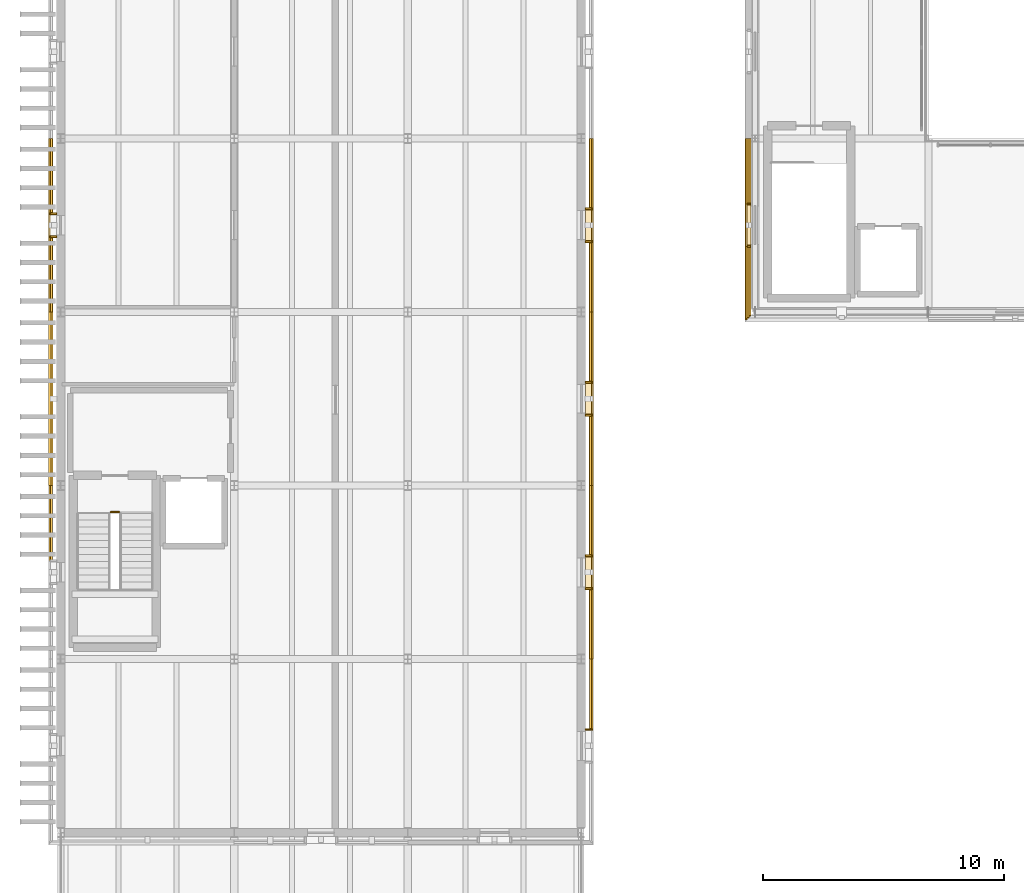
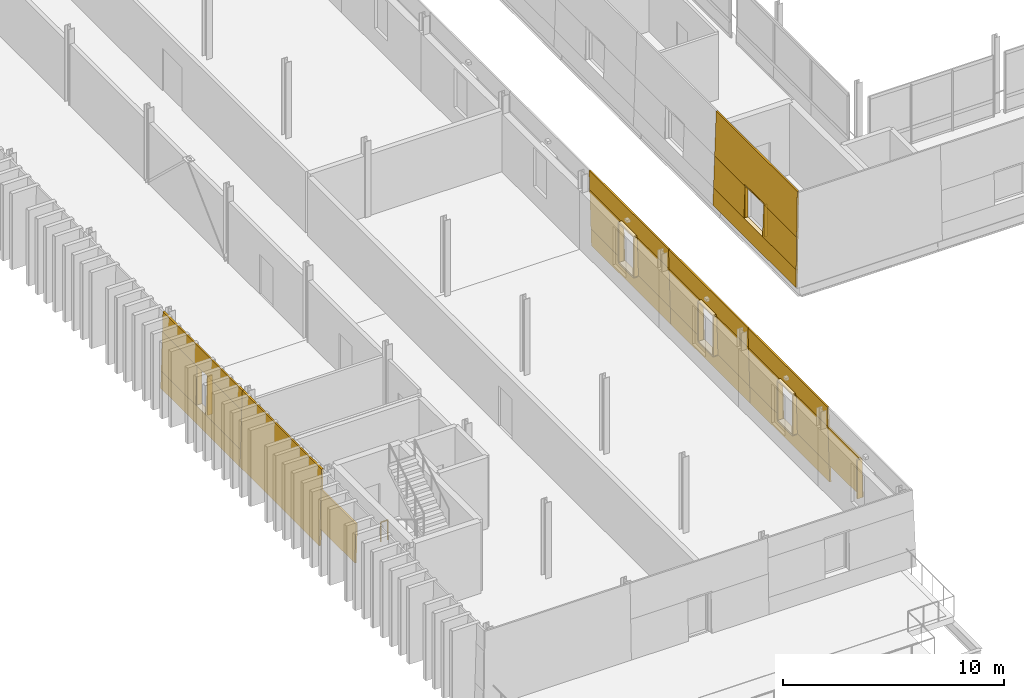
# One storey, part 58 of 66: 43 coverings, 1 railing.
"""IFC4 building model written with IfcOpenShell, lengths in metres."""

from ifc_helpers import new_model, si_unit, direction, frame, origin, origin_2d, place, context, subcontext, project, spatial, polyline, circle, outline, extrude, material, layer, layer_set, type_object, element, save


model = new_model("IFC4")

# Units and contexts
model_context = context("Model", 3, precision=1e-05, world=origin(), true_north=direction((0.0, 1.0)))
body_context = subcontext(model_context, "Body", "Model", "MODEL_VIEW")
ifc_project = project(units=[si_unit("LENGTHUNIT", "METRE"), si_unit("AREAUNIT", "SQUARE_METRE"), si_unit("VOLUMEUNIT", "CUBIC_METRE"), si_unit("PLANEANGLEUNIT", "RADIAN"), si_unit("MASSUNIT", "GRAM", prefix="KILO")], contexts=[model_context])

# Site, building, storey
site_placement = place(None, origin())
site = spatial("IfcSite", under=ifc_project, at=site_placement, CompositionType="ELEMENT")
building_placement = place(site_placement, origin())
building = spatial("IfcBuilding", under=site, at=building_placement, Name="Narikvali Park Central Library", CompositionType="ELEMENT")
storey_placement = place(building_placement, frame((0.0, 0.0, 18.60009765625)))
storey = spatial("IfcBuildingStorey", under=building, at=storey_placement, Name="L04", CompositionType="ELEMENT", Elevation=18.60009765625)

# Coverings
ifc_material_1 = material(Name="White Honed Limestone Cladding", Category="masonry")
ifc_layer_1 = layer(ifc_material_1, 0.0849609375, Name="White Honed Limestone Cladding")
ifc_layer_set_1 = layer_set([ifc_layer_1], Name="White Honed Limestone Cladding")
covering_type_1 = type_object("IfcCoveringType", Name="Battered White Limestone Facade Cladding Panel", PredefinedType="CLADDING", material=ifc_layer_set_1)
covering_1_placement = place(storey_placement, frame((28.386474609375, 64.800048828125, 0.0), z_axis=(-0.999433733171, 0.0, 0.033648372924), x_axis=(0.0, -1.0, 0.0)))
element("IfcCovering", 1, at=covering_1_placement, inside=storey, type_object=covering_type_1, Name="V4 L04 W Battered Limestone Spandrel B06", PredefinedType="CLADDING", context=body_context, shape_type="SweptSolid", body=[
    extrude(outline(polyline([(0.0, 0.0), (7.528564453125, 0.0), (7.49658203125, 0.9504894024951969), (0.0, 0.9504894024951969), (0.0, 0.0)])), origin(), (0.0, 0.0, -1.0), 0.0849609375),
])
covering_2_placement = place(storey_placement, frame((28.4775390625, 64.800048828125, 2.699951171875), z_axis=(-0.999433239835, 0.0, 0.033663022926), x_axis=(0.0, -1.0, 0.0)))
element("IfcCovering", 2, at=covering_2_placement, inside=storey, type_object=covering_type_1, Name="V4 L04 W Battered Limestone Lintel B06", PredefinedType="CLADDING", context=body_context, shape_type="SweptSolid", body=[
    extrude(outline(polyline([(0.0, 0.0), (7.4375, 0.0), (7.35498046875, 2.4513404940173866), (0.0, 2.4513404940173866), (0.0, 0.0)])), origin(), (0.0, 0.0, -1.0), 0.0849609375),
])
covering_3_placement = place(storey_placement, frame((28.41845703125, 64.800048828125, 0.949951171875), z_axis=(-0.999430578744, 0.0, 0.033741936392), x_axis=(0.0, -1.0, 0.0)))
element("IfcCovering", 3, at=covering_3_placement, inside=storey, type_object=covering_type_1, Name="V4 L04 W Battered Limestone Jamb Pier L B06", PredefinedType="CLADDING", context=body_context, shape_type="SweptSolid", body=[
    extrude(outline(polyline([(0.0, 0.0), (2.760009765625, 0.0), (2.760009765625, 1.750997054942305), (0.0, 1.750997054942305), (0.0, 0.0)])), origin(), (0.0, 0.0, -1.0), 0.0849609375),
])
covering_4_placement = place(storey_placement, frame((28.41845703125, 60.360107421875, 0.949951171875), z_axis=(-0.999430578744, 0.0, 0.033741936392), x_axis=(0.0, -1.0, 0.0)))
element("IfcCovering", 4, at=covering_4_placement, inside=storey, type_object=covering_type_1, Name="V4 L04 W Battered Limestone Jamb Pier R B06", PredefinedType="CLADDING", context=body_context, shape_type="SweptSolid", body=[
    extrude(outline(polyline([(0.0, 0.0), (3.056640625, 0.0), (2.99755859375, 1.750997054942305), (0.0, 1.750997054942305), (0.0, 0.0)])), origin(), (0.0, 0.0, -1.0), 0.0849609375),
])
covering_5_placement = place(storey_placement, frame((22.08544921875, 40.239990234375, 0.949951171875), z_axis=(0.99959725493, 0.0, 0.028378300447), x_axis=(0.0, 1.0, 0.0)))
element("IfcCovering", 5, at=covering_5_placement, inside=storey, type_object=covering_type_1, Name="V5 L04 E Battered Limestone Jamb Pier R B01", PredefinedType="CLADDING", context=body_context, shape_type="SweptSolid", body=[
    extrude(outline(polyline([(0.0, 0.0), (2.9599609375, 0.0), (2.9599609375, 2.150768555182125), (0.0, 2.150768555182125), (0.0, 0.0)])), origin(), (0.0, 0.0, -1.0), 0.0849609375),
])
covering_6_placement = place(storey_placement, frame((22.1123046875, 43.199951171875, 0.0), z_axis=(0.999600632529, 0.0, 0.02825907725), x_axis=(0.0, 1.0, 0.0)))
element("IfcCovering", 6, at=covering_6_placement, inside=storey, type_object=covering_type_1, Name="V5 L04 E Battered Limestone Spandrel B02", PredefinedType="CLADDING", context=body_context, shape_type="SweptSolid", body=[
    extrude(outline(polyline([(0.0, 0.0), (7.199951171875, 0.0), (7.199951171875, 0.9503307030441919), (0.0, 0.9503307030441919), (0.0, 0.0)])), origin(), (0.0, 0.0, -1.0), 0.0849609375),
])
covering_7_placement = place(storey_placement, frame((22.0244140625, 43.199951171875, 3.099853515625), z_axis=(0.999596777432, 0.0, 0.028395114849), x_axis=(0.0, 1.0, 0.0)))
element("IfcCovering", 7, at=covering_7_placement, inside=storey, type_object=covering_type_1, Name="V5 L04 E Battered Limestone Lintel B02", PredefinedType="CLADDING", context=body_context, shape_type="SweptSolid", body=[
    extrude(outline(polyline([(0.0, 0.0), (7.199951171875, 0.0), (7.199951171875, 1.1005414193871774), (0.0, 1.1005414193871774), (0.0, 0.0)])), origin(), (0.0, 0.0, -1.0), 0.0849609375),
])
for number, where, z_axis, x_axis, name in (
    (8, (22.08544921875, 43.199951171875, 0.949951171875), (0.99959725493, 0.0, 0.028378300447), (0.0, 1.0, 0.0), "V5 L04 E Battered Limestone Jamb Pier L B02"),
    (9, (22.08544921875, 47.43994140625, 0.949951171875), (0.99959725493, 0.0, 0.028378300447), (0.0, 1.0, 0.0), "V5 L04 E Battered Limestone Jamb Pier R B02"),
):
    element("IfcCovering", number, at=place(storey_placement, frame(where, z_axis=z_axis, x_axis=x_axis)), inside=storey, type_object=covering_type_1, Name=name, PredefinedType="CLADDING", context=body_context, shape_type="SweptSolid", body=[
        extrude(outline(polyline([(0.0, 0.0), (2.9599609375, 0.0), (2.9599609375, 2.150768555182125), (0.0, 2.150768555182125), (0.0, 0.0)])), origin(), (0.0, 0.0, -1.0), 0.0849609375),
    ])
covering_8_placement = place(storey_placement, frame((22.1123046875, 50.39990234375, 0.0), z_axis=(0.999600632529, 0.0, 0.02825907725), x_axis=(0.0, 1.0, 0.0)))
element("IfcCovering", 10, at=covering_8_placement, inside=storey, type_object=covering_type_1, Name="V5 L04 E Battered Limestone Spandrel B03", PredefinedType="CLADDING", context=body_context, shape_type="SweptSolid", body=[
    extrude(outline(polyline([(0.0, 0.0), (7.2001953125, 0.0), (7.2001953125, 0.950330703044192), (0.0, 0.950330703044192), (0.0, 0.0)])), origin(), (0.0, 0.0, -1.0), 0.0849609375),
])
covering_9_placement = place(storey_placement, frame((22.0244140625, 50.39990234375, 3.099853515625), z_axis=(0.999596777432, 0.0, 0.028395114849), x_axis=(0.0, 1.0, 0.0)))
element("IfcCovering", 11, at=covering_9_placement, inside=storey, type_object=covering_type_1, Name="V5 L04 E Battered Limestone Lintel B03", PredefinedType="CLADDING", context=body_context, shape_type="SweptSolid", body=[
    extrude(outline(polyline([(0.0, 0.0), (7.2001953125, 0.0), (7.2001953125, 1.1005414193871774), (0.0, 1.1005414193871774), (0.0, 0.0)])), origin(), (0.0, 0.0, -1.0), 0.0849609375),
])
for number, where, z_axis, x_axis, name in (
    (12, (22.08544921875, 50.39990234375, 0.949951171875), (0.99959725493, 0.0, 0.028378300447), (0.0, 1.0, 0.0), "V5 L04 E Battered Limestone Jamb Pier L B03"),
    (13, (22.08544921875, 54.639892578125, 0.949951171875), (0.99959725493, 0.0, 0.028378300447), (0.0, 1.0, 0.0), "V5 L04 E Battered Limestone Jamb Pier R B03"),
):
    element("IfcCovering", number, at=place(storey_placement, frame(where, z_axis=z_axis, x_axis=x_axis)), inside=storey, type_object=covering_type_1, Name=name, PredefinedType="CLADDING", context=body_context, shape_type="SweptSolid", body=[
        extrude(outline(polyline([(0.0, 0.0), (2.960205078125, 0.0), (2.960205078125, 2.150768555182125), (0.0, 2.150768555182125), (0.0, 0.0)])), origin(), (0.0, 0.0, -1.0), 0.0849609375),
    ])
covering_10_placement = place(storey_placement, frame((22.1123046875, 57.60009765625, 0.0), z_axis=(0.999600632529, 0.0, 0.02825907725), x_axis=(0.0, 1.0, 0.0)))
element("IfcCovering", 14, at=covering_10_placement, inside=storey, type_object=covering_type_1, Name="V5 L04 E Battered Limestone Spandrel B04", PredefinedType="CLADDING", context=body_context, shape_type="SweptSolid", body=[
    extrude(outline(polyline([(0.0, 0.0), (7.199951171875, 0.0), (7.199951171875, 0.9503307030441919), (0.0, 0.9503307030441919), (0.0, 0.0)])), origin(), (0.0, 0.0, -1.0), 0.0849609375),
])
covering_11_placement = place(storey_placement, frame((22.0244140625, 57.60009765625, 3.099853515625), z_axis=(0.999596777432, 0.0, 0.028395114849), x_axis=(0.0, 1.0, 0.0)))
element("IfcCovering", 15, at=covering_11_placement, inside=storey, type_object=covering_type_1, Name="V5 L04 E Battered Limestone Lintel B04", PredefinedType="CLADDING", context=body_context, shape_type="SweptSolid", body=[
    extrude(outline(polyline([(0.0, 0.0), (7.199951171875, 0.0), (7.199951171875, 1.1005414193871774), (0.0, 1.1005414193871774), (0.0, 0.0)])), origin(), (0.0, 0.0, -1.0), 0.0849609375),
])
for number, where, z_axis, x_axis, name in (
    (16, (22.08544921875, 57.60009765625, 0.949951171875), (0.99959725493, 0.0, 0.028378300447), (0.0, 1.0, 0.0), "V5 L04 E Battered Limestone Jamb Pier L B04"),
    (17, (22.08544921875, 61.840087890625, 0.949951171875), (0.99959725493, 0.0, 0.028378300447), (0.0, 1.0, 0.0), "V5 L04 E Battered Limestone Jamb Pier R B04"),
):
    element("IfcCovering", number, at=place(storey_placement, frame(where, z_axis=z_axis, x_axis=x_axis)), inside=storey, type_object=covering_type_1, Name=name, PredefinedType="CLADDING", context=body_context, shape_type="SweptSolid", body=[
        extrude(outline(polyline([(0.0, 0.0), (2.9599609375, 0.0), (2.9599609375, 2.150768555182125), (0.0, 2.150768555182125), (0.0, 0.0)])), origin(), (0.0, 0.0, -1.0), 0.0849609375),
    ])
covering_12_placement = place(storey_placement, frame((-0.51220703125, 64.800048828125, 0.0), z_axis=(-0.999600632529, 0.0, 0.02825907725), x_axis=(0.0, -1.0, 0.0)))
element("IfcCovering", 18, at=covering_12_placement, inside=storey, type_object=covering_type_1, Name="V5 L04 W Battered Limestone Spandrel B07", PredefinedType="CLADDING", context=body_context, shape_type="SweptSolid", body=[
    extrude(outline(polyline([(0.0, 0.0), (7.199951171875, 0.0), (7.199951171875, 0.9503307030441919), (0.0, 0.9503307030441919), (0.0, 0.0)])), origin(), (0.0, 0.0, -1.0), 0.0849609375),
])
covering_13_placement = place(storey_placement, frame((-0.42431640625, 64.800048828125, 3.099853515625), z_axis=(-0.999603049438, 0.0, 0.028173454789), x_axis=(0.0, -1.0, 0.0)))
element("IfcCovering", 19, at=covering_13_placement, inside=storey, type_object=covering_type_1, Name="V5 L04 W Battered Limestone Lintel B07", PredefinedType="CLADDING", context=body_context, shape_type="SweptSolid", body=[
    extrude(outline(polyline([(0.0, 0.0), (7.199951171875, 0.0), (7.199951171875, 1.1005345140441192), (0.0, 1.1005345140441192), (0.0, 0.0)])), origin(), (0.0, 0.0, -1.0), 0.0849609375),
])
covering_14_placement = place(storey_placement, frame((-0.4853515625, 64.800048828125, 0.949951171875), z_axis=(-0.99959725493, 0.0, 0.028378300447), x_axis=(0.0, -1.0, 0.0)))
element("IfcCovering", 20, at=covering_14_placement, inside=storey, type_object=covering_type_1, Name="V5 L04 W Battered Limestone Jamb Pier L B07", PredefinedType="CLADDING", context=body_context, shape_type="SweptSolid", body=[
    extrude(outline(polyline([(0.0, 0.0), (3.16015625, 0.0), (3.16015625, 2.150768555182125), (0.0, 2.150768555182125), (0.0, 0.0)])), origin(), (0.0, 0.0, -1.0), 0.0849609375),
])
covering_15_placement = place(storey_placement, frame((-0.4853515625, 60.760009765625, 0.949951171875), z_axis=(-0.99959725493, 0.0, 0.028378300447), x_axis=(0.0, -1.0, 0.0)))
element("IfcCovering", 21, at=covering_15_placement, inside=storey, type_object=covering_type_1, Name="V5 L04 W Battered Limestone Jamb Pier R B07", PredefinedType="CLADDING", context=body_context, shape_type="SweptSolid", body=[
    extrude(outline(polyline([(0.0, 0.0), (3.159912109375, 0.0), (3.159912109375, 2.150768555182125), (0.0, 2.150768555182125), (0.0, 0.0)])), origin(), (0.0, 0.0, -1.0), 0.0849609375),
])
covering_16_placement = place(storey_placement, frame((-0.51220703125, 57.60009765625, 0.0), z_axis=(-0.99959954049, 0.0, 0.028297679255), x_axis=(0.0, -1.0, 0.0)))
element("IfcCovering", 22, at=covering_16_placement, inside=storey, type_object=covering_type_1, Name="V5 L04 W Battered Limestone Panel B08", PredefinedType="CLADDING", context=body_context, shape_type="SweptSolid", body=[
    extrude(outline(polyline([(0.0, 0.0), (7.2001953125, 0.0), (7.2001953125, 4.2016337560681), (0.0, 4.2016337560681), (0.0, 0.0)])), origin(), (0.0, 0.0, -1.0), 0.0849609375),
])
covering_17_placement = place(storey_placement, frame((-0.4853515625, 50.39990234375, 0.949951171875), z_axis=(-0.99959725493, 0.0, 0.028378300447), x_axis=(0.0, -1.0, 0.0)))
element("IfcCovering", 23, at=covering_17_placement, inside=storey, type_object=covering_type_1, Name="V5 L04 W Battered Limestone Jamb Pier L B09", PredefinedType="CLADDING", context=body_context, shape_type="SweptSolid", body=[
    extrude(outline(polyline([(0.0, 0.0), (3.159912109375, 0.0), (3.159912109375, 2.150768555182125), (0.0, 2.150768555182125), (0.0, 0.0)])), origin(), (0.0, 0.0, -1.0), 0.0849609375),
])
ifc_layer_2 = layer(ifc_material_1, 0.080078125, Name="White Honed Limestone Cladding")
ifc_layer_set_2 = layer_set([ifc_layer_2], Name="White Honed Limestone Cladding")
covering_type_2 = type_object("IfcCoveringType", Name="Deep Carved White Limestone Window Reveal", PredefinedType="CLADDING", material=ifc_layer_set_2)
covering_18_placement = place(storey_placement, frame((0.0, 0.0, 2.699951171875)))
element("IfcCovering", 24, at=covering_18_placement, inside=storey, type_object=covering_type_2, Name="Deep Stone Reveal Head V4-RVL-L04-W-B06", PredefinedType="CLADDING", context=body_context, shape_type="SweptSolid", body=[
    extrude(outline(polyline([(28.635009765625, 62.080078125), (28.635009765625, 60.320068359375), (28.4775390625, 60.320068359375), (28.4775390625, 62.080078125), (28.635009765625, 62.080078125)])), origin(), (0.0, 0.0, 1.0), 0.079833984375),
])
covering_19_placement = place(storey_placement, frame((0.0, 0.0, 0.869873046875)))
element("IfcCovering", 25, at=covering_19_placement, inside=storey, type_object=covering_type_2, Name="Deep Stone Reveal Sill V4-RVL-L04-W-B06", PredefinedType="CLADDING", context=body_context, shape_type="SweptSolid", body=[
    extrude(outline(polyline([(28.635009765625, 62.080078125), (28.635009765625, 60.320068359375), (28.41845703125, 60.320068359375), (28.41845703125, 62.080078125), (28.635009765625, 62.080078125)])), origin(), (0.0, 0.0, 1.0), 0.080078125),
])
covering_20_placement = place(storey_placement, frame((0.0, 0.0, 0.949951171875)))
element("IfcCovering", 26, at=covering_20_placement, inside=storey, type_object=covering_type_2, Name="Deep Stone Reveal Jamb L V4-RVL-L04-W-B06", PredefinedType="CLADDING", context=body_context, shape_type="SweptSolid", body=[
    extrude(outline(polyline([(28.635009765625, 62.1201171875), (28.635009765625, 62.0400390625), (28.4775390625, 62.0400390625), (28.4775390625, 62.1201171875), (28.635009765625, 62.1201171875)])), origin(), (0.0, 0.0, 1.0), 1.75),
])
covering_21_placement = place(storey_placement, frame((0.0, 0.0, 0.949951171875)))
element("IfcCovering", 27, at=covering_21_placement, inside=storey, type_object=covering_type_2, Name="Deep Stone Reveal Jamb R V4-RVL-L04-W-B06", PredefinedType="CLADDING", context=body_context, shape_type="SweptSolid", body=[
    extrude(outline(polyline([(28.635009765625, 60.360107421875), (28.635009765625, 60.280029296875), (28.4775390625, 60.280029296875), (28.4775390625, 60.360107421875), (28.635009765625, 60.360107421875)])), origin(), (0.0, 0.0, 1.0), 1.75),
])
covering_22_placement = place(storey_placement, frame((0.0, 0.0, 0.949951171875)))
element("IfcCovering", 28, at=covering_22_placement, inside=storey, type_object=covering_type_2, Name="Deep Stone Reveal Jamb R V5-RVL-L04-E-B01", PredefinedType="CLADDING", context=body_context, shape_type="SweptSolid", body=[
    extrude(outline(polyline([(21.764892578125, 40.239990234375), (21.764892578125, 40.320068359375), (22.0244140625, 40.320068359375), (22.0244140625, 40.239990234375), (21.764892578125, 40.239990234375)])), origin(), (0.0, 0.0, 1.0), 2.14990234375),
])
covering_23_placement = place(storey_placement, frame((0.0, 0.0, 3.099853515625)))
element("IfcCovering", 29, at=covering_23_placement, inside=storey, type_object=covering_type_2, Name="Deep Stone Reveal Head V5-RVL-L04-E-B02", PredefinedType="CLADDING", context=body_context, shape_type="SweptSolid", body=[
    extrude(outline(polyline([(21.764892578125, 46.1201171875), (21.764892578125, 47.47998046875), (22.0244140625, 47.47998046875), (22.0244140625, 46.1201171875), (21.764892578125, 46.1201171875)])), origin(), (0.0, 0.0, 1.0), 0.080078125),
])
covering_24_placement = place(storey_placement, frame((0.0, 0.0, 0.869873046875)))
element("IfcCovering", 30, at=covering_24_placement, inside=storey, type_object=covering_type_2, Name="Deep Stone Reveal Sill V5-RVL-L04-E-B02", PredefinedType="CLADDING", context=body_context, shape_type="SweptSolid", body=[
    extrude(outline(polyline([(21.764892578125, 46.1201171875), (21.764892578125, 47.47998046875), (22.08544921875, 47.47998046875), (22.08544921875, 46.1201171875), (21.764892578125, 46.1201171875)])), origin(), (0.0, 0.0, 1.0), 0.080078125),
])
covering_25_placement = place(storey_placement, frame((0.0, 0.0, 0.949951171875)))
element("IfcCovering", 31, at=covering_25_placement, inside=storey, type_object=covering_type_2, Name="Deep Stone Reveal Jamb L V5-RVL-L04-E-B02", PredefinedType="CLADDING", context=body_context, shape_type="SweptSolid", body=[
    extrude(outline(polyline([(21.764892578125, 46.080078125), (21.764892578125, 46.159912109375), (22.0244140625, 46.159912109375), (22.0244140625, 46.080078125), (21.764892578125, 46.080078125)])), origin(), (0.0, 0.0, 1.0), 2.14990234375),
])
covering_26_placement = place(storey_placement, frame((0.0, 0.0, 0.949951171875)))
element("IfcCovering", 32, at=covering_26_placement, inside=storey, type_object=covering_type_2, Name="Deep Stone Reveal Jamb R V5-RVL-L04-E-B02", PredefinedType="CLADDING", context=body_context, shape_type="SweptSolid", body=[
    extrude(outline(polyline([(21.764892578125, 47.43994140625), (21.764892578125, 47.52001953125), (22.0244140625, 47.52001953125), (22.0244140625, 47.43994140625), (21.764892578125, 47.43994140625)])), origin(), (0.0, 0.0, 1.0), 2.14990234375),
])
covering_27_placement = place(storey_placement, frame((0.0, 0.0, 3.099853515625)))
element("IfcCovering", 33, at=covering_27_placement, inside=storey, type_object=covering_type_2, Name="Deep Stone Reveal Head V5-RVL-L04-E-B03", PredefinedType="CLADDING", context=body_context, shape_type="SweptSolid", body=[
    extrude(outline(polyline([(21.764892578125, 53.320068359375), (21.764892578125, 54.679931640625), (22.0244140625, 54.679931640625), (22.0244140625, 53.320068359375), (21.764892578125, 53.320068359375)])), origin(), (0.0, 0.0, 1.0), 0.080078125),
])
covering_28_placement = place(storey_placement, frame((0.0, 0.0, 0.869873046875)))
element("IfcCovering", 34, at=covering_28_placement, inside=storey, type_object=covering_type_2, Name="Deep Stone Reveal Sill V5-RVL-L04-E-B03", PredefinedType="CLADDING", context=body_context, shape_type="SweptSolid", body=[
    extrude(outline(polyline([(21.764892578125, 53.320068359375), (21.764892578125, 54.679931640625), (22.08544921875, 54.679931640625), (22.08544921875, 53.320068359375), (21.764892578125, 53.320068359375)])), origin(), (0.0, 0.0, 1.0), 0.080078125),
])
covering_29_placement = place(storey_placement, frame((0.0, 0.0, 0.949951171875)))
element("IfcCovering", 35, at=covering_29_placement, inside=storey, type_object=covering_type_2, Name="Deep Stone Reveal Jamb L V5-RVL-L04-E-B03", PredefinedType="CLADDING", context=body_context, shape_type="SweptSolid", body=[
    extrude(outline(polyline([(21.764892578125, 53.280029296875), (21.764892578125, 53.360107421875), (22.0244140625, 53.360107421875), (22.0244140625, 53.280029296875), (21.764892578125, 53.280029296875)])), origin(), (0.0, 0.0, 1.0), 2.14990234375),
])
covering_30_placement = place(storey_placement, frame((0.0, 0.0, 0.949951171875)))
element("IfcCovering", 36, at=covering_30_placement, inside=storey, type_object=covering_type_2, Name="Deep Stone Reveal Jamb R V5-RVL-L04-E-B03", PredefinedType="CLADDING", context=body_context, shape_type="SweptSolid", body=[
    extrude(outline(polyline([(21.764892578125, 54.639892578125), (21.764892578125, 54.719970703125), (22.0244140625, 54.719970703125), (22.0244140625, 54.639892578125), (21.764892578125, 54.639892578125)])), origin(), (0.0, 0.0, 1.0), 2.14990234375),
])
covering_31_placement = place(storey_placement, frame((0.0, 0.0, 3.099853515625)))
element("IfcCovering", 37, at=covering_31_placement, inside=storey, type_object=covering_type_2, Name="Deep Stone Reveal Head V5-RVL-L04-E-B04", PredefinedType="CLADDING", context=body_context, shape_type="SweptSolid", body=[
    extrude(outline(polyline([(21.764892578125, 60.52001953125), (21.764892578125, 61.8798828125), (22.0244140625, 61.8798828125), (22.0244140625, 60.52001953125), (21.764892578125, 60.52001953125)])), origin(), (0.0, 0.0, 1.0), 0.080078125),
])
covering_32_placement = place(storey_placement, frame((0.0, 0.0, 0.869873046875)))
element("IfcCovering", 38, at=covering_32_placement, inside=storey, type_object=covering_type_2, Name="Deep Stone Reveal Sill V5-RVL-L04-E-B04", PredefinedType="CLADDING", context=body_context, shape_type="SweptSolid", body=[
    extrude(outline(polyline([(21.764892578125, 60.52001953125), (21.764892578125, 61.8798828125), (22.08544921875, 61.8798828125), (22.08544921875, 60.52001953125), (21.764892578125, 60.52001953125)])), origin(), (0.0, 0.0, 1.0), 0.080078125),
])
covering_33_placement = place(storey_placement, frame((0.0, 0.0, 0.949951171875)))
element("IfcCovering", 39, at=covering_33_placement, inside=storey, type_object=covering_type_2, Name="Deep Stone Reveal Jamb L V5-RVL-L04-E-B04", PredefinedType="CLADDING", context=body_context, shape_type="SweptSolid", body=[
    extrude(outline(polyline([(21.764892578125, 60.47998046875), (21.764892578125, 60.56005859375), (22.0244140625, 60.56005859375), (22.0244140625, 60.47998046875), (21.764892578125, 60.47998046875)])), origin(), (0.0, 0.0, 1.0), 2.14990234375),
])
covering_34_placement = place(storey_placement, frame((0.0, 0.0, 0.949951171875)))
element("IfcCovering", 40, at=covering_34_placement, inside=storey, type_object=covering_type_2, Name="Deep Stone Reveal Jamb R V5-RVL-L04-E-B04", PredefinedType="CLADDING", context=body_context, shape_type="SweptSolid", body=[
    extrude(outline(polyline([(21.764892578125, 61.840087890625), (21.764892578125, 61.919921875), (22.0244140625, 61.919921875), (22.0244140625, 61.840087890625), (21.764892578125, 61.840087890625)])), origin(), (0.0, 0.0, 1.0), 2.14990234375),
])
covering_35_placement = place(storey_placement, frame((0.0, 0.0, 0.869873046875)))
element("IfcCovering", 41, at=covering_35_placement, inside=storey, type_object=covering_type_2, Name="Deep Stone Reveal Sill V5-RVL-L04-W-B07", PredefinedType="CLADDING", context=body_context, shape_type="SweptSolid", body=[
    extrude(outline(polyline([(-0.1650390625, 61.679931640625), (-0.1650390625, 60.719970703125), (-0.4853515625, 60.719970703125), (-0.4853515625, 61.679931640625), (-0.1650390625, 61.679931640625)])), origin(), (0.0, 0.0, 1.0), 0.080078125),
])
covering_36_placement = place(storey_placement, frame((0.0, 0.0, 0.949951171875)))
element("IfcCovering", 42, at=covering_36_placement, inside=storey, type_object=covering_type_2, Name="Deep Stone Reveal Jamb L V5-RVL-L04-W-B07", PredefinedType="CLADDING", context=body_context, shape_type="SweptSolid", body=[
    extrude(outline(polyline([(-0.1650390625, 61.719970703125), (-0.1650390625, 61.639892578125), (-0.42431640625, 61.639892578125), (-0.42431640625, 61.719970703125), (-0.1650390625, 61.719970703125)])), origin(), (0.0, 0.0, 1.0), 2.14990234375),
])
covering_37_placement = place(storey_placement, frame((0.0, 0.0, 0.949951171875)))
element("IfcCovering", 43, at=covering_37_placement, inside=storey, type_object=covering_type_2, Name="Deep Stone Reveal Jamb R V5-RVL-L04-W-B07", PredefinedType="CLADDING", context=body_context, shape_type="SweptSolid", body=[
    extrude(outline(polyline([(-0.1650390625, 60.760009765625), (-0.1650390625, 60.679931640625), (-0.42431640625, 60.679931640625), (-0.42431640625, 60.760009765625), (-0.1650390625, 60.760009765625)])), origin(), (0.0, 0.0, 1.0), 2.14990234375),
])

# Railing
ifc_material_2 = material(Name="Powder-Coated Steel S275", Category="steel")
ifc_layer_3 = layer(ifc_material_2, 0.050048828125, Name="Powder-Coated Steel S275")
ifc_layer_set_3 = layer_set([ifc_layer_3], Name="Powder-Coated Steel S275")
railing_type = type_object("IfcRailingType", Name="Stair Well Steel Guardrail 1100", PredefinedType="GUARDRAIL", material=ifc_layer_set_3)
railing_placement = place(storey_placement, frame((2.070068359375, 49.300048828125, 0.0)))
element("IfcRailing", 44, at=railing_placement, inside=storey, type_object=railing_type, Name="L04 ST-09 stair guard 4", PredefinedType="GUARDRAIL", context=body_context, shape_type="SweptSolid", body=[
    extrude(circle(Radius=0.02392578125, at=origin_2d()), frame((0.0, 0.0, 1.076171875), z_axis=(1.0, 0.0, 0.0), x_axis=(0.0, 1.0, 0.0)), (0.0, 0.0, 1.0), 0.35986328125),
    extrude(circle(Radius=0.02099609375, at=origin_2d()), origin(), (0.0, 0.0, 1.0), 1.052001953125),
    extrude(circle(Radius=0.02099609375, at=origin_2d()), frame((0.35986328125, 0.0, 0.0)), (0.0, 0.0, 1.0), 1.052001953125),
])

save(model, "model.ifc")
